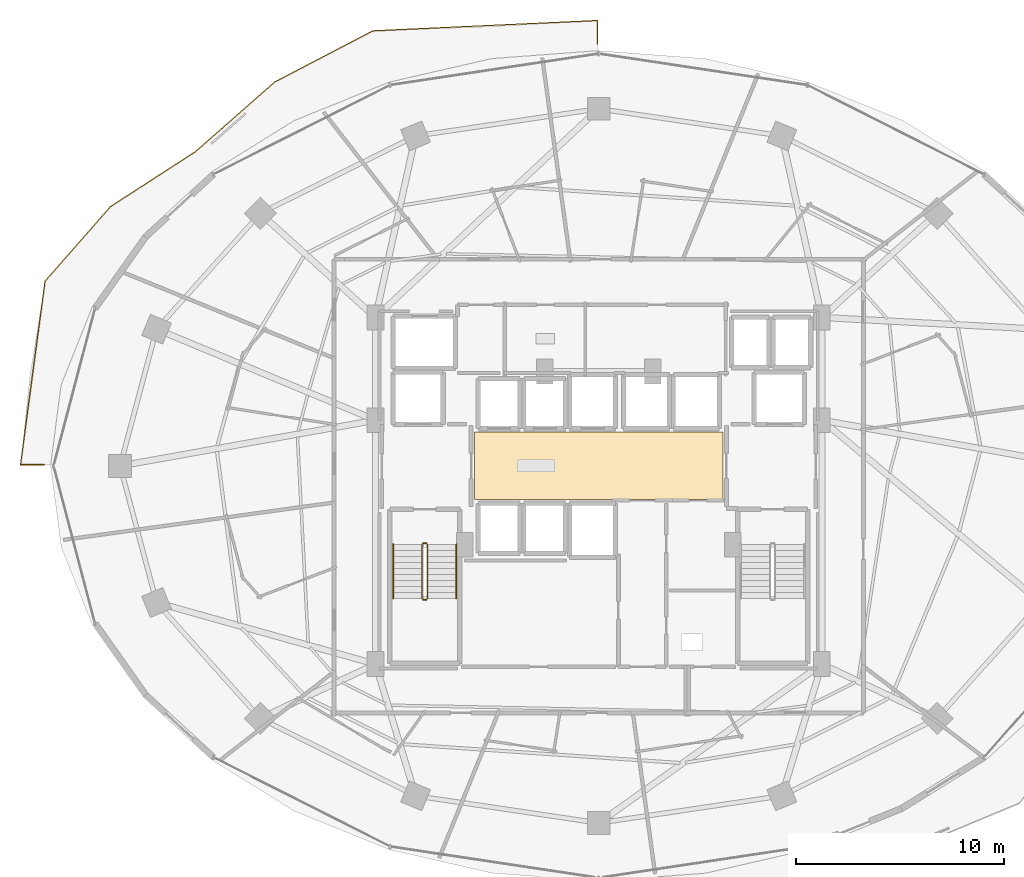
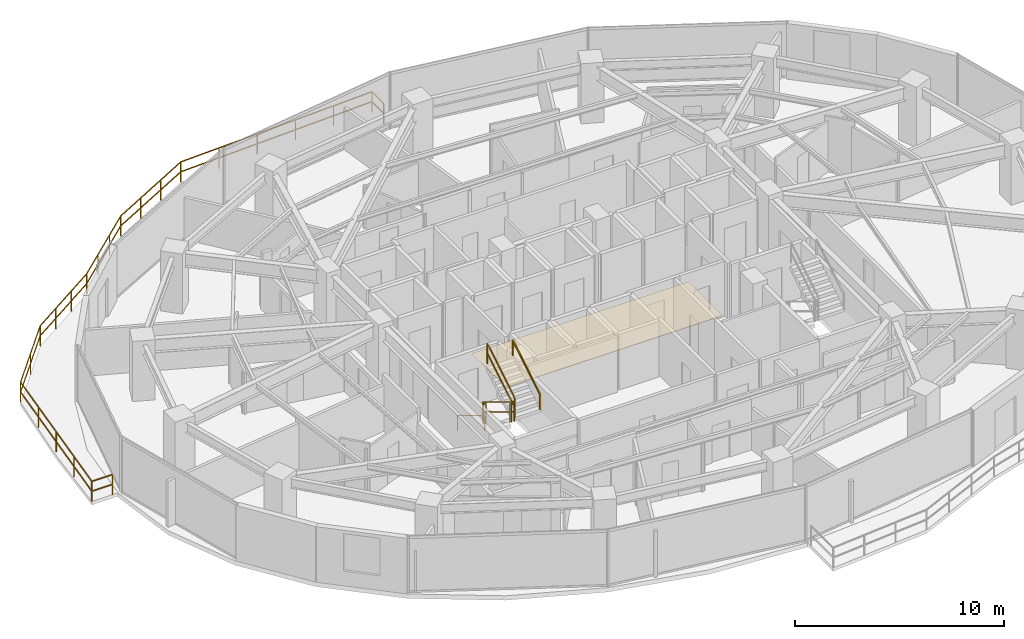
# One storey, part 27 of 30: 8 railings, 1 covering.
"""IFC4 building model written with IfcOpenShell, lengths in metres."""

from ifc_helpers import new_model, si_unit, direction, frame, origin, origin_2d, place, context, subcontext, project, spatial, polyline, rectangle, outline, extrude, material, layer, layer_set, type_object, element, save


model = new_model("IFC4")

# Units and contexts
model_context = context("Model", 3, precision=1e-05, world=origin(), true_north=direction((0.0, 1.0)))
body_context = subcontext(model_context, "Body", "Model", "MODEL_VIEW")
ifc_project = project(units=[si_unit("LENGTHUNIT", "METRE"), si_unit("AREAUNIT", "SQUARE_METRE"), si_unit("VOLUMEUNIT", "CUBIC_METRE"), si_unit("PLANEANGLEUNIT", "RADIAN"), si_unit("MASSUNIT", "GRAM", prefix="KILO")], contexts=[model_context])

# Site, building, storey
site_placement = place(None, origin())
site = spatial("IfcSite", under=ifc_project, at=site_placement, CompositionType="ELEMENT")
building_placement = place(site_placement, origin())
building = spatial("IfcBuilding", under=site, at=building_placement, Name="Vorneva Point Tower", CompositionType="ELEMENT")
storey_placement = place(building_placement, frame((0.0, 0.0, 96.300048828125)))
storey = spatial("IfcBuildingStorey", under=building, at=storey_placement, Name="L25", CompositionType="ELEMENT", Elevation=96.300048828125)

# Covering
ifc_material_1 = material(Name="Acoustic wool hospitality carpet", Category="textile")
ifc_layer = layer(ifc_material_1, 0.01806640625)
ifc_layer_set = layer_set([ifc_layer], Name="Acoustic wool hospitality carpet")
covering_type = type_object("IfcCoveringType", Name="COV-FLR-CRP", PredefinedType="FLOORING", material=ifc_layer_set)
covering_placement = place(storey_placement, frame((0.0, 0.0, -0.005126953125)))
element("IfcCovering", 1, at=covering_placement, inside=storey, type_object=covering_type, Name="L25 Lift Lobby Floor Finish", PredefinedType="FLOORING", context=body_context, shape_type="SweptSolid", body=[
    extrude(outline(polyline([(32.02001953125, 24.3701171875), (43.97998046875, 24.3701171875), (43.97998046875, 27.6298828125), (32.02001953125, 27.6298828125), (32.02001953125, 24.3701171875)])), origin(), (0.0, 0.0, 1.0), 0.023193359375),
])

# Railings
ifc_material_2 = material(Name="Pale anodised aluminium", Category="aluminium")
railing_type_1 = type_object("IfcRailingType", Name="RL-BAL-1200", PredefinedType="BALUSTRADE", material=ifc_material_2)
railing_1_placement = place(storey_placement, frame((10.150390625, 26.050048828125, 0.0)))
element("IfcRailing", 2, at=railing_1_placement, inside=storey, type_object=railing_type_1, Name="L25 Wave Balcony Balustrade NW.1", PredefinedType="BALUSTRADE", context=body_context, shape_type="SweptSolid", body=[
    extrude(rectangle(XDim=0.048095703125, YDim=0.048095703125, at=origin_2d()), frame((0.0, 0.0, 1.17578125), z_axis=(1.0, 0.0, 0.0), x_axis=(0.0, 1.0, 0.0)), (0.0, 0.0, 1.0), 1.13330078125),
    extrude(rectangle(XDim=0.048095703125, YDim=0.048095703125, at=origin_2d()), frame((0.0, 0.0, 0.60009765625), z_axis=(1.0, 0.0, 0.0), x_axis=(0.0, 1.0, 0.0)), (0.0, 0.0, 1.0), 1.13330078125),
    extrude(rectangle(XDim=0.0419921875, YDim=0.0419921875, at=origin_2d()), origin(), (0.0, 0.0, 1.0), 1.15185546875),
    extrude(rectangle(XDim=0.0419921875, YDim=0.0419921875, at=origin_2d()), frame((1.13330078125, 0.0, 0.0)), (0.0, 0.0, 1.0), 1.15185546875),
])
railing_2_placement = place(storey_placement, frame((37.949951171875, 46.317138671875, 0.0)))
element("IfcRailing", 3, at=railing_2_placement, inside=storey, type_object=railing_type_1, Name="L25 Wave Balcony Balustrade NW.2", PredefinedType="BALUSTRADE", context=body_context, shape_type="SweptSolid", body=[
    extrude(rectangle(XDim=0.048095703125, YDim=0.048095703125, at=origin_2d()), frame((0.0, 0.0, 1.17578125), z_axis=(0.0, 1.0, 0.0), x_axis=(-1.0, 0.0, 0.0)), (0.0, 0.0, 1.0), 1.13525390625),
    extrude(rectangle(XDim=0.048095703125, YDim=0.048095703125, at=origin_2d()), frame((0.0, 0.0, 0.60009765625), z_axis=(0.0, 1.0, 0.0), x_axis=(-1.0, 0.0, 0.0)), (0.0, 0.0, 1.0), 1.13525390625),
    extrude(rectangle(XDim=0.048095703125, YDim=0.048095703125, at=origin_2d()), frame((0.0, 1.13525390625, 1.17578125), z_axis=(-0.998947400212, -0.045870378356, 0.0), x_axis=(0.045870378356, -0.998947400212, 0.0)), (0.0, 0.0, 1.0), 10.841796875),
    extrude(rectangle(XDim=0.048095703125, YDim=0.048095703125, at=origin_2d()), frame((0.0, 1.13525390625, 0.60009765625), z_axis=(-0.998947400212, -0.045870378356, 0.0), x_axis=(0.045870378356, -0.998947400212, 0.0)), (0.0, 0.0, 1.0), 10.841796875),
    extrude(rectangle(XDim=0.048095703125, YDim=0.048095703125, at=origin_2d()), frame((-10.830322265625, 0.637939453125, 1.17578125), z_axis=(-0.886830442852, -0.462094974688, 0.0), x_axis=(0.462094974688, -0.886830442852, 0.0)), (0.0, 0.0, 1.0), 5.33251953125),
    extrude(rectangle(XDim=0.048095703125, YDim=0.048095703125, at=origin_2d()), frame((-10.830322265625, 0.637939453125, 0.60009765625), z_axis=(-0.886830442852, -0.462094974688, 0.0), x_axis=(0.462094974688, -0.886830442852, 0.0)), (0.0, 0.0, 1.0), 5.33251953125),
    extrude(rectangle(XDim=0.048095703125, YDim=0.048095703125, at=origin_2d()), frame((-15.559326171875, -1.826171875, 1.17578125), z_axis=(-0.750995803, -0.660306977001, 0.0), x_axis=(0.660306977001, -0.750995803, 0.0)), (0.0, 0.0, 1.0), 5.0771484375),
    extrude(rectangle(XDim=0.048095703125, YDim=0.048095703125, at=origin_2d()), frame((-15.559326171875, -1.826171875, 0.60009765625), z_axis=(-0.750995803, -0.660306977001, 0.0), x_axis=(0.660306977001, -0.750995803, 0.0)), (0.0, 0.0, 1.0), 5.0771484375),
    extrude(rectangle(XDim=0.048095703125, YDim=0.048095703125, at=origin_2d()), frame((-19.372314453125, -5.1787109375, 1.17578125), z_axis=(-0.839743461162, -0.542983350975, 0.0), x_axis=(0.542983350975, -0.839743461162, 0.0)), (0.0, 0.0, 1.0), 4.87451171875),
    extrude(rectangle(XDim=0.048095703125, YDim=0.048095703125, at=origin_2d()), frame((-19.372314453125, -5.1787109375, 0.60009765625), z_axis=(-0.839743461162, -0.542983350975, 0.0), x_axis=(0.542983350975, -0.839743461162, 0.0)), (0.0, 0.0, 1.0), 4.87451171875),
    extrude(rectangle(XDim=0.048095703125, YDim=0.048095703125, at=origin_2d()), frame((-23.465576171875, -7.825439453125, 1.17578125), z_axis=(-0.65966820994, -0.751556952463, 0.0), x_axis=(0.751556952463, -0.65966820994, 0.0)), (0.0, 0.0, 1.0), 4.77978515625),
    extrude(rectangle(XDim=0.048095703125, YDim=0.048095703125, at=origin_2d()), frame((-23.465576171875, -7.825439453125, 0.60009765625), z_axis=(-0.65966820994, -0.751556952463, 0.0), x_axis=(0.751556952463, -0.65966820994, 0.0)), (0.0, 0.0, 1.0), 4.77978515625),
    extrude(rectangle(XDim=0.048095703125, YDim=0.048095703125, at=origin_2d()), frame((-26.61865234375, -11.417724609375, 1.17578125), z_axis=(-0.132272984189, -0.991213326007, 0.0), x_axis=(0.991213326007, -0.132272984189, 0.0)), (0.0, 0.0, 1.0), 8.927734375),
    extrude(rectangle(XDim=0.048095703125, YDim=0.048095703125, at=origin_2d()), frame((-26.61865234375, -11.417724609375, 0.60009765625), z_axis=(-0.132272984189, -0.991213326007, 0.0), x_axis=(0.991213326007, -0.132272984189, 0.0)), (0.0, 0.0, 1.0), 8.927734375),
    extrude(rectangle(XDim=0.0419921875, YDim=0.0419921875, at=origin_2d()), origin(), (0.0, 0.0, 1.0), 1.15185546875),
    extrude(rectangle(XDim=0.0419921875, YDim=0.0419921875, at=origin_2d()), frame((0.0, 1.13525390625, 0.0)), (0.0, 0.0, 1.0), 1.15185546875),
    extrude(rectangle(XDim=0.0419921875, YDim=0.0419921875, at=origin_2d()), frame((-2.166015625, 1.035888671875, 0.0)), (0.0, 0.0, 1.0), 1.15185546875),
    extrude(rectangle(XDim=0.0419921875, YDim=0.0419921875, at=origin_2d()), frame((-4.33203125, 0.936279296875, 0.0)), (0.0, 0.0, 1.0), 1.15185546875),
    extrude(rectangle(XDim=0.0419921875, YDim=0.0419921875, at=origin_2d()), frame((-6.498291015625, 0.8369140625, 0.0)), (0.0, 0.0, 1.0), 1.15185546875),
    extrude(rectangle(XDim=0.0419921875, YDim=0.0419921875, at=origin_2d()), frame((-8.664306640625, 0.7373046875, 0.0)), (0.0, 0.0, 1.0), 1.15185546875),
    extrude(rectangle(XDim=0.0419921875, YDim=0.0419921875, at=origin_2d()), frame((-10.830322265625, 0.637939453125, 0.0)), (0.0, 0.0, 1.0), 1.15185546875),
    extrude(rectangle(XDim=0.0419921875, YDim=0.0419921875, at=origin_2d()), frame((-12.40673828125, -0.183349609375, 0.0)), (0.0, 0.0, 1.0), 1.15185546875),
    extrude(rectangle(XDim=0.0419921875, YDim=0.0419921875, at=origin_2d()), frame((-13.98291015625, -1.0048828125, 0.0)), (0.0, 0.0, 1.0), 1.15185546875),
    extrude(rectangle(XDim=0.0419921875, YDim=0.0419921875, at=origin_2d()), frame((-15.559326171875, -1.826171875, 0.0)), (0.0, 0.0, 1.0), 1.15185546875),
    extrude(rectangle(XDim=0.0419921875, YDim=0.0419921875, at=origin_2d()), frame((-16.830322265625, -2.943603515625, 0.0)), (0.0, 0.0, 1.0), 1.15185546875),
    extrude(rectangle(XDim=0.0419921875, YDim=0.0419921875, at=origin_2d()), frame((-18.101318359375, -4.061279296875, 0.0)), (0.0, 0.0, 1.0), 1.15185546875),
    extrude(rectangle(XDim=0.0419921875, YDim=0.0419921875, at=origin_2d()), frame((-19.372314453125, -5.1787109375, 0.0)), (0.0, 0.0, 1.0), 1.15185546875),
    extrude(rectangle(XDim=0.0419921875, YDim=0.0419921875, at=origin_2d()), frame((-20.73681640625, -6.06103515625, 0.0)), (0.0, 0.0, 1.0), 1.15185546875),
    extrude(rectangle(XDim=0.0419921875, YDim=0.0419921875, at=origin_2d()), frame((-22.10107421875, -6.943115234375, 0.0)), (0.0, 0.0, 1.0), 1.15185546875),
    extrude(rectangle(XDim=0.0419921875, YDim=0.0419921875, at=origin_2d()), frame((-23.465576171875, -7.825439453125, 0.0)), (0.0, 0.0, 1.0), 1.15185546875),
    extrude(rectangle(XDim=0.0419921875, YDim=0.0419921875, at=origin_2d()), frame((-25.0419921875, -9.62158203125, 0.0)), (0.0, 0.0, 1.0), 1.15185546875),
    extrude(rectangle(XDim=0.0419921875, YDim=0.0419921875, at=origin_2d()), frame((-26.61865234375, -11.417724609375, 0.0)), (0.0, 0.0, 1.0), 1.15185546875),
    extrude(rectangle(XDim=0.0419921875, YDim=0.0419921875, at=origin_2d()), frame((-26.913818359375, -13.630126953125, 0.0)), (0.0, 0.0, 1.0), 1.15185546875),
    extrude(rectangle(XDim=0.0419921875, YDim=0.0419921875, at=origin_2d()), frame((-27.208984375, -15.84228515625, 0.0)), (0.0, 0.0, 1.0), 1.15185546875),
    extrude(rectangle(XDim=0.0419921875, YDim=0.0419921875, at=origin_2d()), frame((-27.50439453125, -18.0546875, 0.0)), (0.0, 0.0, 1.0), 1.15185546875),
    extrude(rectangle(XDim=0.0419921875, YDim=0.0419921875, at=origin_2d()), frame((-27.799560546875, -20.26708984375, 0.0)), (0.0, 0.0, 1.0), 1.15185546875),
])
ifc_material_3 = material(Name="Brushed stainless steel S304", Category="steel")
railing_type_2 = type_object("IfcRailingType", Name="RL-HND-920", PredefinedType="HANDRAIL", material=ifc_material_3)
railing_3_placement = place(storey_placement, frame((28.10009765625, 22.219970703125, 0.175048828125)))
element("IfcRailing", 4, at=railing_3_placement, inside=storey, type_object=railing_type_2, Name="L25 ST1 stair handrail 1", PredefinedType="HANDRAIL", context=body_context, shape_type="SweptSolid", body=[
    extrude(rectangle(XDim=0.048095703125, YDim=0.048095703125, at=origin_2d()), frame((0.0, 0.0, 0.8759765625), z_axis=(0.0, -0.85618277418, 0.516673066065), x_axis=(1.0, 0.0, 0.0)), (0.0, 0.0, 1.0), 3.04833984375),
    extrude(rectangle(XDim=0.0419921875, YDim=0.0419921875, at=origin_2d()), origin(), (0.0, 0.0, 1.0), 0.851806640625),
    extrude(rectangle(XDim=0.0419921875, YDim=0.0419921875, at=origin_2d()), frame((0.0, -2.60986328125, 1.574951171875)), (0.0, 0.0, 1.0), 0.851806640625),
])
railing_4_placement = place(storey_placement, frame((31.14990234375, 19.610107421875, 1.925048828125)))
element("IfcRailing", 5, at=railing_4_placement, inside=storey, type_object=railing_type_2, Name="L25 ST1 stair handrail 2", PredefinedType="HANDRAIL", context=body_context, shape_type="SweptSolid", body=[
    extrude(rectangle(XDim=0.048095703125, YDim=0.048095703125, at=origin_2d()), frame((0.0, 0.0, 0.8759765625), z_axis=(0.0, 0.85618277418, 0.516673066065), x_axis=(-1.0, 0.0, 0.0)), (0.0, 0.0, 1.0), 3.04833984375),
    extrude(rectangle(XDim=0.0419921875, YDim=0.0419921875, at=origin_2d()), origin(), (0.0, 0.0, 1.0), 0.851806640625),
    extrude(rectangle(XDim=0.0419921875, YDim=0.0419921875, at=origin_2d()), frame((0.0, 2.60986328125, 1.574951171875)), (0.0, 0.0, 1.0), 0.851806640625),
])
railing_type_3 = type_object("IfcRailingType", Name="RL-STG-1100", PredefinedType="GUARDRAIL", material=ifc_material_3)
railing_5_placement = place(storey_placement, frame((29.5, 22.219970703125, 0.175048828125)))
element("IfcRailing", 6, at=railing_5_placement, inside=storey, type_object=railing_type_3, Name="L25 ST1 stair guard 1", PredefinedType="GUARDRAIL", context=body_context, shape_type="SweptSolid", body=[
    extrude(rectangle(XDim=0.048095703125, YDim=0.048095703125, at=origin_2d()), frame((0.0, 0.0, 1.17578125), z_axis=(0.0, -0.85618277418, 0.516673066065), x_axis=(1.0, 0.0, 0.0)), (0.0, 0.0, 1.0), 3.04833984375),
    extrude(rectangle(XDim=0.048095703125, YDim=0.048095703125, at=origin_2d()), frame((0.0, 0.0, 0.60009765625), z_axis=(0.0, -0.85618277418, 0.516673066065), x_axis=(1.0, 0.0, 0.0)), (0.0, 0.0, 1.0), 3.04833984375),
    extrude(rectangle(XDim=0.0419921875, YDim=0.0419921875, at=origin_2d()), origin(), (0.0, 0.0, 1.0), 1.15185546875),
    extrude(rectangle(XDim=0.0419921875, YDim=0.0419921875, at=origin_2d()), frame((0.0, -2.60986328125, 1.574951171875)), (0.0, 0.0, 1.0), 1.15185546875),
])
railing_6_placement = place(storey_placement, frame((29.550048828125, 19.56005859375, 1.75)))
element("IfcRailing", 7, at=railing_6_placement, inside=storey, type_object=railing_type_3, Name="L25 ST1 stair guard 2", PredefinedType="GUARDRAIL", context=body_context, shape_type="SweptSolid", body=[
    extrude(rectangle(XDim=0.048095703125, YDim=0.048095703125, at=origin_2d()), frame((0.0, 0.0, 1.17578125), z_axis=(1.0, 0.0, 0.0), x_axis=(0.0, 1.0, 0.0)), (0.0, 0.0, 1.0), 0.14990234375),
    extrude(rectangle(XDim=0.048095703125, YDim=0.048095703125, at=origin_2d()), frame((0.0, 0.0, 0.60009765625), z_axis=(1.0, 0.0, 0.0), x_axis=(0.0, 1.0, 0.0)), (0.0, 0.0, 1.0), 0.14990234375),
    extrude(rectangle(XDim=0.0419921875, YDim=0.0419921875, at=origin_2d()), origin(), (0.0, 0.0, 1.0), 1.15185546875),
    extrude(rectangle(XDim=0.0419921875, YDim=0.0419921875, at=origin_2d()), frame((0.14990234375, 0.0, 0.0)), (0.0, 0.0, 1.0), 1.15185546875),
])
railing_7_placement = place(storey_placement, frame((29.75, 19.610107421875, 1.925048828125)))
element("IfcRailing", 8, at=railing_7_placement, inside=storey, type_object=railing_type_3, Name="L25 ST1 stair guard 3", PredefinedType="GUARDRAIL", context=body_context, shape_type="SweptSolid", body=[
    extrude(rectangle(XDim=0.048095703125, YDim=0.048095703125, at=origin_2d()), frame((0.0, 0.0, 1.17578125), z_axis=(0.0, 0.85618277418, 0.516673066065), x_axis=(-1.0, 0.0, 0.0)), (0.0, 0.0, 1.0), 3.04833984375),
    extrude(rectangle(XDim=0.048095703125, YDim=0.048095703125, at=origin_2d()), frame((0.0, 0.0, 0.60009765625), z_axis=(0.0, 0.85618277418, 0.516673066065), x_axis=(-1.0, 0.0, 0.0)), (0.0, 0.0, 1.0), 3.04833984375),
    extrude(rectangle(XDim=0.0419921875, YDim=0.0419921875, at=origin_2d()), origin(), (0.0, 0.0, 1.0), 1.15185546875),
    extrude(rectangle(XDim=0.0419921875, YDim=0.0419921875, at=origin_2d()), frame((0.0, 2.60986328125, 1.574951171875)), (0.0, 0.0, 1.0), 1.15185546875),
])
railing_8_placement = place(storey_placement, frame((29.550048828125, 22.27001953125, 0.0)))
element("IfcRailing", 9, at=railing_8_placement, inside=storey, type_object=railing_type_3, Name="L25 ST1 stair guard 4", PredefinedType="GUARDRAIL", context=body_context, shape_type="SweptSolid", body=[
    extrude(rectangle(XDim=0.048095703125, YDim=0.048095703125, at=origin_2d()), frame((0.0, 0.0, 1.17578125), z_axis=(1.0, 0.0, 0.0), x_axis=(0.0, 1.0, 0.0)), (0.0, 0.0, 1.0), 0.14990234375),
    extrude(rectangle(XDim=0.048095703125, YDim=0.048095703125, at=origin_2d()), frame((0.0, 0.0, 0.60009765625), z_axis=(1.0, 0.0, 0.0), x_axis=(0.0, 1.0, 0.0)), (0.0, 0.0, 1.0), 0.14990234375),
    extrude(rectangle(XDim=0.0419921875, YDim=0.0419921875, at=origin_2d()), origin(), (0.0, 0.0, 1.0), 1.15185546875),
    extrude(rectangle(XDim=0.0419921875, YDim=0.0419921875, at=origin_2d()), frame((0.14990234375, 0.0, 0.0)), (0.0, 0.0, 1.0), 1.15185546875),
])

save(model, "model.ifc")
